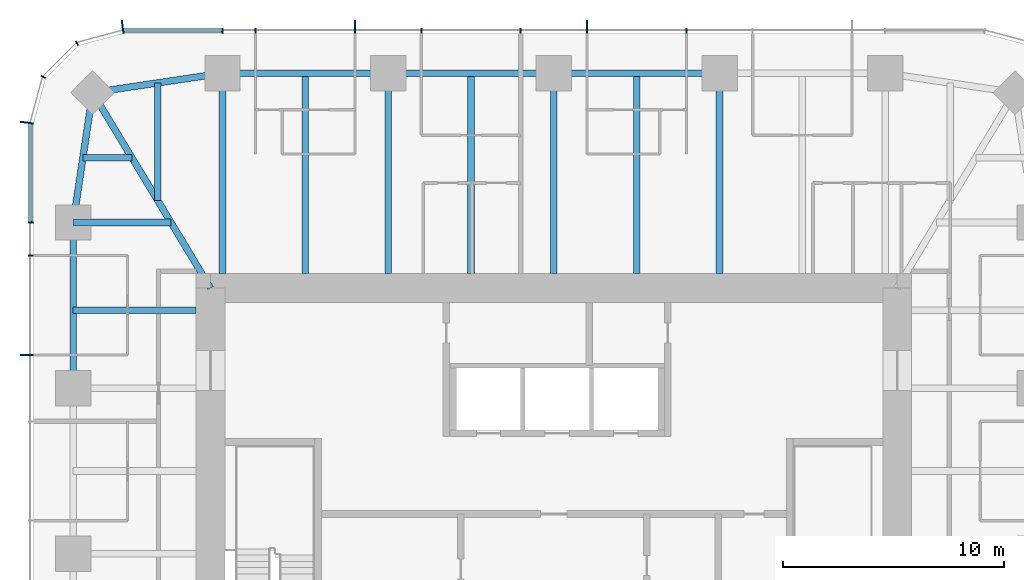
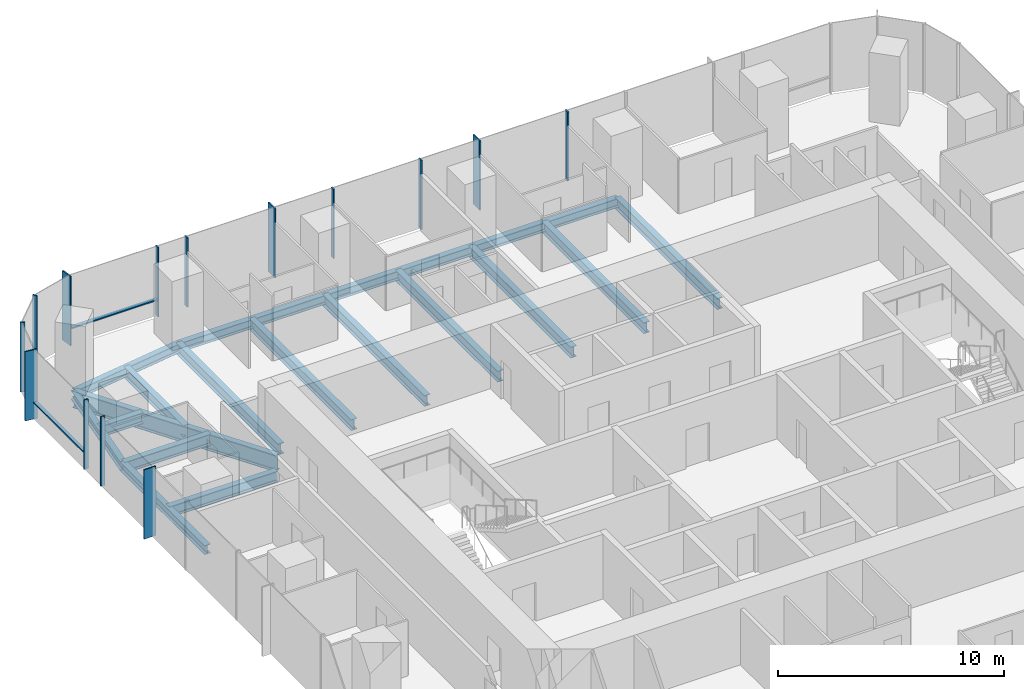
# One storey, part 5 of 12: 18 beams, 16 members, 3 elements without a shape of their own.
"""IFC4 building model written with IfcOpenShell, lengths in metres."""

import ifcopenshell
import ifcopenshell.guid

model = None  # the IFC model being written
_history = None  # IfcOwnerHistory: only IFC2X3 demands one
_inside = {}  # id of a spatial element -> (the spatial element, [elements in it])
_under = {}  # id of a project, library or spatial element -> (it, [spatial elements below it])
_declared = {}  # id of a project -> (the project, [libraries it declares])
_typed = {}  # id of a type object -> (the type object, [elements of that type])
_made_of = {}  # id of a material, layer set ... -> (it, [elements and type objects made of it])


def new_model(schema):
    """Start an empty IFC model of exactly this schema.

    Asked for "IFC4X3", IfcOpenShell would pick the latest addendum, in which some entities
    have other attributes; the version numbers below select the first issue.
    IFC2X3 requires an IfcOwnerHistory on every rooted entity: one is made here for all.
    """
    global model, _history
    if schema == "IFC4X3":
        model = ifcopenshell.file(schema_version=(4, 3, 0, 0))
    else:
        model = ifcopenshell.file(schema=schema)
    _inside.clear()
    _under.clear()
    _declared.clear()
    _typed.clear()
    _made_of.clear()
    _history = None
    if model.schema == "IFC2X3":
        org = make("IfcOrganization", Name="unknown")
        user = make(
            "IfcPersonAndOrganization",
            ThePerson=make("IfcPerson", FamilyName="unknown"),
            TheOrganization=org,
        )
        app = make(
            "IfcApplication",
            ApplicationDeveloper=org,
            Version="unknown",
            ApplicationFullName="unknown",
            ApplicationIdentifier="unknown",
        )
        _history = make(
            "IfcOwnerHistory",
            OwningUser=user,
            OwningApplication=app,
            ChangeAction="ADDED",
            CreationDate=0,
        )
    return model


def make(cls, **values):
    """One entity of the class cls with the attributes given. An attribute that is None is left unset."""
    return model.create_entity(
        cls, **{name: value for name, value in values.items() if value is not None}
    )


def rooted(cls, **values):
    """An entity with a GlobalId (a new one), such as an element, a storey or a relation."""
    return make(cls, GlobalId=ifcopenshell.guid.new(), OwnerHistory=_history, **values)


def si_unit(unit_type, name, prefix=None):
    """IfcSIUnit, for example si_unit("LENGTHUNIT", "METRE", prefix="MILLI")."""
    return make("IfcSIUnit", UnitType=unit_type, Prefix=prefix, Name=name)


def assignment(units):
    """IfcUnitAssignment: the units of a project."""
    return None if units is None else make("IfcUnitAssignment", Units=units)


def point(xyz):
    """IfcCartesianPoint."""
    return None if xyz is None else make("IfcCartesianPoint", Coordinates=xyz)


def direction(xyz):
    """IfcDirection."""
    return None if xyz is None else make("IfcDirection", DirectionRatios=xyz)


def frame(location, z_axis=None, x_axis=None):
    """IfcAxis2Placement3D, a coordinate frame: its origin and axes. An axis left out is left unset."""
    return make(
        "IfcAxis2Placement3D",
        Location=point(location),
        Axis=direction(z_axis),
        RefDirection=direction(x_axis),
    )


def frame_2d(location, x_axis=None):
    """IfcAxis2Placement2D, a coordinate frame in the plane: its origin and x axis."""
    return make(
        "IfcAxis2Placement2D", Location=point(location), RefDirection=direction(x_axis)
    )


def origin():
    """The frame at (0, 0, 0) with its axes left unset."""
    return frame((0.0, 0.0, 0.0))


def origin_2d():
    """The frame at (0, 0) in the plane with its x axis left unset."""
    return frame_2d((0.0, 0.0))


def place(relative_to, where):
    """IfcLocalPlacement: puts the frame where relative to a parent placement (None: the world)."""
    return make(
        "IfcLocalPlacement", PlacementRelTo=relative_to, RelativePlacement=where
    )


def context(
    kind, dimensions, precision=None, world=None, true_north=None, identifier=None
):
    """IfcGeometricRepresentationContext, for example the 3D "Model" context."""
    return make(
        "IfcGeometricRepresentationContext",
        ContextIdentifier=identifier,
        ContextType=kind,
        CoordinateSpaceDimension=dimensions,
        Precision=precision,
        WorldCoordinateSystem=world,
        TrueNorth=true_north,
    )


def subcontext(parent, identifier, kind, view, scale=None):
    """IfcGeometricRepresentationSubContext, for example "Body" below "Model"."""
    return make(
        "IfcGeometricRepresentationSubContext",
        ContextIdentifier=identifier,
        ContextType=kind,
        ParentContext=parent,
        TargetScale=scale,
        TargetView=view,
    )


def project(units=None, contexts=None):
    """IfcProject with its units and contexts."""
    return rooted(
        "IfcProject",
        Name="project",
        RepresentationContexts=contexts,
        UnitsInContext=assignment(units),
    )


def spatial(cls, under=None, at=None, **own):
    """A site, building, storey or space (cls), placed at a placement, below another one or the project."""
    s = rooted(cls, ObjectPlacement=at, **own)
    if under is not None:
        _under.setdefault(under.id(), (under, []))[1].append(s)
    return s


def profile(cls, at=None, kind="AREA", **sizes):
    """A parametric profile (cls). Its sizes go by their IFC names, for example OverallWidth=200.0."""
    return make(cls, ProfileType=kind, Position=at, **sizes)


def rectangle(**sizes):
    """IfcRectangleProfileDef."""
    return profile("IfcRectangleProfileDef", **sizes)


def i_section(**sizes):
    """IfcIShapeProfileDef."""
    return profile("IfcIShapeProfileDef", **sizes)


def extrude(swept, where, along, depth):
    """IfcExtrudedAreaSolid: the profile swept, set in the frame where, extruded along a direction by depth."""
    return make(
        "IfcExtrudedAreaSolid",
        SweptArea=swept,
        Position=where,
        ExtrudedDirection=direction(along),
        Depth=depth,
    )


def shape(context_of_items, identifier, shape_type, items):
    """IfcShapeRepresentation: the items that make up one representation, for example the "Body"."""
    return make(
        "IfcShapeRepresentation",
        ContextOfItems=context_of_items,
        RepresentationIdentifier=identifier,
        RepresentationType=shape_type,
        Items=items,
    )


def material(Name=None, Category=None):
    """IfcMaterial."""
    return make("IfcMaterial", Name=Name, Category=Category)


def material_profile(
    of_material, cross_section, Name=None, Category=None, Priority=None
):
    """IfcMaterialProfile: a cross section and its material."""
    return make(
        "IfcMaterialProfile",
        Name=Name,
        Material=of_material,
        Profile=cross_section,
        Priority=Priority,
        Category=Category,
    )


def profile_set(profiles, Name=None, composite=None):
    """IfcMaterialProfileSet."""
    return make(
        "IfcMaterialProfileSet",
        Name=Name,
        MaterialProfiles=profiles,
        CompositeProfile=composite,
    )


def made_of(thing, what):
    """Note that an element or type object is made of a material, layer set ...; save() writes the relation."""
    if what is not None:
        _made_of.setdefault(what.id(), (what, []))[1].append(thing)
    return thing


def type_object(cls, material=None, **own):
    """A type object (cls), such as IfcWallType, which elements share."""
    return made_of(rooted(cls, **own), material)


def element(
    cls,
    number,
    at=None,
    inside=None,
    cuts=None,
    type_object=None,
    material=None,
    context=None,
    identifier="Body",
    shape_type=None,
    held_by="IfcProductDefinitionShape",
    body=None,
    shapes=None,
    **own,
):
    """One element of the class cls, such as IfcWall. Its Tag is "e" and its number.

    at: its placement. inside: the storey or other place that contains it. cuts: it is an
    opening in that element (IfcRelVoidsElement). A single representation is given by context,
    identifier, shape_type and body (its items); several are given by shapes. held_by: the class
    of the entity that holds the representations. save() writes the other relations.
    """
    e = rooted(cls, Tag="e%d" % number, ObjectPlacement=at, **own)
    if body is not None:
        shapes = [shape(context, identifier, shape_type, body)]
    if shapes is not None:
        e.Representation = make(held_by, Representations=shapes)
    if inside is not None:
        _inside.setdefault(inside.id(), (inside, []))[1].append(e)
    if cuts is not None:
        rooted(
            "IfcRelVoidsElement", RelatingBuildingElement=cuts, RelatedOpeningElement=e
        )
    if type_object is not None:
        _typed.setdefault(type_object.id(), (type_object, []))[1].append(e)
    return made_of(e, material)


def aggregate(whole, parts):
    """IfcRelAggregates: a whole, such as a stair, and the parts it consists of."""
    return rooted("IfcRelAggregates", RelatingObject=whole, RelatedObjects=parts)


def save(model, path):
    """Write the relations noted so far, then the file.

    IfcRelAggregates (storeys below a building ...), IfcRelContainedInSpatialStructure (elements
    in a storey), IfcRelDefinesByType, IfcRelAssociatesMaterial and IfcRelDeclares: one each for
    every whole, place, type object, material and project.
    """
    for whole, parts in _under.values():
        aggregate(whole, parts)
    for where, things in _inside.values():
        rooted(
            "IfcRelContainedInSpatialStructure",
            RelatedElements=things,
            RelatingStructure=where,
        )
    for kind, things in _typed.values():
        rooted("IfcRelDefinesByType", RelatedObjects=things, RelatingType=kind)
    for what, things in _made_of.values():
        rooted("IfcRelAssociatesMaterial", RelatedObjects=things, RelatingMaterial=what)
    for by, libraries in _declared.values():
        rooted("IfcRelDeclares", RelatingContext=by, RelatedDefinitions=libraries)
    model.write(path)


model = new_model("IFC4")

# Units and contexts
model_context = context("Model", 3, precision=1e-05, world=origin(), true_north=direction((0.0, 1.0)))
body_context = subcontext(model_context, "Body", "Model", "MODEL_VIEW")
ifc_project = project(units=[si_unit("LENGTHUNIT", "METRE"), si_unit("AREAUNIT", "SQUARE_METRE"), si_unit("VOLUMEUNIT", "CUBIC_METRE"), si_unit("PLANEANGLEUNIT", "RADIAN"), si_unit("MASSUNIT", "GRAM", prefix="KILO")], contexts=[model_context])

# Site, building, storey
site_placement = place(None, origin())
site = spatial("IfcSite", under=ifc_project, at=site_placement, CompositionType="ELEMENT")
building_placement = place(site_placement, origin())
building = spatial("IfcBuilding", under=site, at=building_placement, Name="Khuree Lantern Residences", CompositionType="ELEMENT")
storey_placement = place(building_placement, frame((0.0, 0.0, 308.25)))
storey = spatial("IfcBuildingStorey", under=building, at=storey_placement, Name="L77", CompositionType="ELEMENT", Elevation=308.25)

# Beams
ifc_material_1 = material(Name="Steel S355", Category="steel")
ifc_material_profile_1 = material_profile(ifc_material_1, i_section(OverallWidth=0.300048828125, OverallDepth=0.590087890625, WebThickness=0.012939453125, FlangeThickness=0.02490234375, FilletRadius=0.027099609375, at=origin_2d()), Name="HE 600 A")
ifc_profile_set_1 = profile_set([ifc_material_profile_1], Name="Steel S355")
beam_type_1 = type_object("IfcBeamType", Name="B-42 SECONDARY BEAM HE 600 A", PredefinedType="BEAM", material=ifc_profile_set_1)
for number, where, z_axis, x_axis, name in (
    (1, (-11.219970703125, 21.699951171875, -0.544921875), (0.0, -1.0, 0.0), (1.0, 0.0, 0.0), "Secondary beam N1"),
    (2, (-3.739990234375, 21.699951171875, -0.544921875), (0.0, -1.0, 0.0), (1.0, 0.0, 0.0), "Secondary beam N2"),
    (3, (3.739990234375, 21.699951171875, -0.544921875), (0.0, -1.0, 0.0), (1.0, 0.0, 0.0), "Secondary beam N3"),
):
    element("IfcBeam", number, at=place(storey_placement, frame(where, z_axis=z_axis, x_axis=x_axis)), inside=storey, type_object=beam_type_1, Name=name, PredefinedType="BEAM", context=body_context, shape_type="SweptSolid", body=[
        extrude(i_section(OverallWidth=0.300048828125, OverallDepth=0.590087890625, WebThickness=0.012939453125, FlangeThickness=0.02490234375, FilletRadius=0.027099609375, at=origin_2d()), origin(), (0.0, 0.0, 1.0), 9.050048828125),
    ])
beam_1_placement = place(storey_placement, frame((-21.699951171875, 11.0, -0.544921875), z_axis=(1.0, 0.0, 0.0), x_axis=(0.0, 1.0, 0.0)))
element("IfcBeam", 4, at=beam_1_placement, inside=storey, type_object=beam_type_1, Name="Secondary beam W5", PredefinedType="BEAM", context=body_context, shape_type="SweptSolid", body=[
    extrude(i_section(OverallWidth=0.300048828125, OverallDepth=0.590087890625, WebThickness=0.012939453125, FlangeThickness=0.02490234375, FilletRadius=0.027099609375, at=origin_2d()), origin(), (0.0, 0.0, 1.0), 5.550048828125),
])
beam_2_placement = place(storey_placement, frame((-21.2607421875, 17.890625, -0.544921875), z_axis=(1.0, 0.0, 0.0), x_axis=(0.0, 1.0, 0.0)))
element("IfcBeam", 5, at=beam_2_placement, inside=storey, type_object=beam_type_1, Name="Secondary beam W6", PredefinedType="BEAM", context=body_context, shape_type="SweptSolid", body=[
    extrude(i_section(OverallWidth=0.300048828125, OverallDepth=0.590087890625, WebThickness=0.012939453125, FlangeThickness=0.02490234375, FilletRadius=0.027099609375, at=origin_2d()), origin(), (0.0, 0.0, 1.0), 2.207275390625),
])
beam_3_placement = place(storey_placement, frame((-17.890625, 21.2607421875, -0.544921875), z_axis=(0.0, -1.0, 0.0), x_axis=(1.0, 0.0, 0.0)))
element("IfcBeam", 6, at=beam_3_placement, inside=storey, type_object=beam_type_1, Name="Secondary beam N6", PredefinedType="BEAM", context=body_context, shape_type="SweptSolid", body=[
    extrude(i_section(OverallWidth=0.300048828125, OverallDepth=0.590087890625, WebThickness=0.012939453125, FlangeThickness=0.02490234375, FilletRadius=0.027099609375, at=origin_2d()), origin(), (0.0, 0.0, 1.0), 5.297607421875),
])
ifc_material_profile_2 = material_profile(ifc_material_1, i_section(OverallWidth=0.300048828125, OverallDepth=0.489990234375, WebThickness=0.011962890625, FlangeThickness=0.02294921875, FilletRadius=0.027099609375, at=origin_2d()), Name="HE 500 A")
ifc_profile_set_2 = profile_set([ifc_material_profile_2], Name="Steel S355")
beam_type_2 = type_object("IfcBeamType", Name="E-42 SPANDREL BEAM HE 500 A", PredefinedType="SPANDREL", material=ifc_profile_set_2)
for number, where, z_axis, x_axis, name in (
    (7, (-14.9599609375, 21.699951171875, -0.4951171875), (1.0, 0.0, 0.0), (0.0, 1.0, 0.0), "Spandrel beam N1"),
    (8, (-7.47998046875, 21.699951171875, -0.4951171875), (1.0, 0.0, 0.0), (0.0, 1.0, 0.0), "Spandrel beam N2"),
    (9, (0.0, 21.699951171875, -0.4951171875), (1.0, 0.0, 0.0), (0.0, 1.0, 0.0), "Spandrel beam N3"),
    (10, (-21.699951171875, 7.47998046875, -0.4951171875), (0.0, 1.0, 0.0), (-1.0, 0.0, 0.0), "Spandrel beam W5"),
):
    element("IfcBeam", number, at=place(storey_placement, frame(where, z_axis=z_axis, x_axis=x_axis)), inside=storey, type_object=beam_type_2, Name=name, PredefinedType="SPANDREL", context=body_context, shape_type="SweptSolid", body=[
        extrude(i_section(OverallWidth=0.300048828125, OverallDepth=0.489990234375, WebThickness=0.011962890625, FlangeThickness=0.02294921875, FilletRadius=0.027099609375, at=origin_2d()), origin(), (0.0, 0.0, 1.0), 7.47998046875),
    ])
for number, where, z_axis, x_axis, name in (
    (11, (-21.699951171875, 14.9599609375, -0.4951171875), (0.148251822985, 0.988949643299, 0.0), (-0.988949643299, 0.148251822985, 0.0), "Spandrel beam W6"),
    (12, (-20.8212890625, 20.8212890625, -0.4951171875), (0.988949643299, 0.148251822985, 0.0), (-0.148251822985, 0.988949643299, 0.0), "Spandrel beam N6"),
):
    element("IfcBeam", number, at=place(storey_placement, frame(where, z_axis=z_axis, x_axis=x_axis)), inside=storey, type_object=beam_type_2, Name=name, PredefinedType="SPANDREL", context=body_context, shape_type="SweptSolid", body=[
        extrude(i_section(OverallWidth=0.300048828125, OverallDepth=0.489990234375, WebThickness=0.011962890625, FlangeThickness=0.02294921875, FilletRadius=0.027099609375, at=origin_2d()), origin(), (0.0, 0.0, 1.0), 5.9267578125),
    ])

# Curtain wall, members
ifc_material_2 = material(Name="Bronze anodised aluminium", Category="aluminium")
curtain_wall_type_1 = type_object("IfcCurtainWallType", Name="CW-T1 TOWER FACE CURTAIN WALL", PredefinedType="USERDEFINED", material=ifc_material_2)
curtain_wall_1_placement = place(storey_placement, origin())
curtain_wall_1 = element("IfcCurtainWall", 13, at=curtain_wall_1_placement, inside=storey, type_object=curtain_wall_type_1, Name="L77 NORTH FACE CURTAIN WALL", ObjectType="Stick-built curtain wall", PredefinedType="USERDEFINED")
ifc_material_profile_3 = material_profile(ifc_material_2, rectangle(XDim=0.06494140625, YDim=0.60009765625, at=origin_2d()), Name="F1 65X600")
ifc_profile_set_3 = profile_set([ifc_material_profile_3], Name="Bronze anodised aluminium")
member_type_1 = type_object("IfcMemberType", Name="F1 BRONZE FIN MULLION TOWER 65X600", PredefinedType="MULLION", material=ifc_profile_set_3)
member_1_placement = place(storey_placement, frame((1.49609375, 23.800048828125, 0.0), z_axis=(0.0, 0.0, 1.0), x_axis=(-1.0, 0.0, 0.0)))
member_1 = element("IfcMember", 14, at=member_1_placement, type_object=member_type_1, Name="L77 NORTH FACE FIN MULLION 23", PredefinedType="MULLION", context=body_context, shape_type="SweptSolid", body=[
    extrude(rectangle(XDim=0.06494140625, YDim=0.60009765625, at=origin_2d()), origin(), (0.0, 0.0, 1.0), 3.75),
])
member_2_placement = place(storey_placement, frame((-8.97607421875, 23.800048828125, 0.0), z_axis=(0.0, 0.0, 1.0), x_axis=(-1.0, 0.0, 0.0)))
member_2 = element("IfcMember", 15, at=member_2_placement, type_object=member_type_1, Name="L77 NORTH FACE FIN MULLION 26", PredefinedType="MULLION", context=body_context, shape_type="SweptSolid", body=[
    extrude(rectangle(XDim=0.06494140625, YDim=0.60009765625, at=origin_2d()), origin(), (0.0, 0.0, 1.0), 3.75),
])

# Curtain wall, member
curtain_wall_type_2 = type_object("IfcCurtainWallType", Name="CW-T2 TOWER CORNER CURTAIN WALL", PredefinedType="USERDEFINED", material=ifc_material_2)
curtain_wall_2_placement = place(storey_placement, origin())
curtain_wall_2 = element("IfcCurtainWall", 16, at=curtain_wall_2_placement, inside=storey, type_object=curtain_wall_type_2, Name="L77 NORTH-WEST CORNER CURTAIN WALL", ObjectType="Faceted corner curtain wall", PredefinedType="USERDEFINED")
member_3_placement = place(storey_placement, frame((-19.4697265625, 23.800048828125, 0.0), z_axis=(0.0, 0.0, 1.0), x_axis=(-0.991444870192, -0.130526125236, 0.0)))
member_3 = element("IfcMember", 17, at=member_3_placement, type_object=member_type_1, Name="L77 NORTH-WEST CORNER FIN MULLION 29", PredefinedType="MULLION", context=body_context, shape_type="SweptSolid", body=[
    extrude(rectangle(XDim=0.06494140625, YDim=0.60009765625, at=origin_2d()), origin(), (0.0, 0.0, 1.0), 3.75),
])

# Curtain wall, members
curtain_wall_3_placement = place(storey_placement, origin())
curtain_wall_3 = element("IfcCurtainWall", 18, at=curtain_wall_3_placement, inside=storey, type_object=curtain_wall_type_1, Name="L77 WEST FACE CURTAIN WALL", ObjectType="Stick-built curtain wall", PredefinedType="USERDEFINED")
member_4_placement = place(storey_placement, frame((-23.800048828125, 19.4697265625, 0.0), z_axis=(0.0, 0.0, 1.0), x_axis=(-0.130526125236, -0.991444870192, 0.0)))
member_4 = element("IfcMember", 19, at=member_4_placement, type_object=member_type_1, Name="L77 WEST FACE FIN MULLION 32", PredefinedType="MULLION", context=body_context, shape_type="SweptSolid", body=[
    extrude(rectangle(XDim=0.06494140625, YDim=0.60009765625, at=origin_2d()), origin(), (0.0, 0.0, 1.0), 3.75),
])
member_5_placement = place(storey_placement, frame((-23.800048828125, 8.97607421875, 0.0), z_axis=(0.0, 0.0, 1.0), x_axis=(0.0, -1.0, 0.0)))
member_5 = element("IfcMember", 20, at=member_5_placement, type_object=member_type_1, Name="L77 WEST FACE FIN MULLION 35", PredefinedType="MULLION", context=body_context, shape_type="SweptSolid", body=[
    extrude(rectangle(XDim=0.06494140625, YDim=0.60009765625, at=origin_2d()), origin(), (0.0, 0.0, 1.0), 3.75),
])

# Beams
ifc_material_profile_4 = material_profile(ifc_material_1, i_section(OverallWidth=0.300048828125, OverallDepth=0.60009765625, WebThickness=0.015380859375, FlangeThickness=0.030029296875, FilletRadius=0.027099609375, at=origin_2d()), Name="HE 600 B")
ifc_profile_set_4 = profile_set([ifc_material_profile_4], Name="Steel S355")
beam_type_3 = type_object("IfcBeamType", Name="G-42 GIRDER HE 600 B", PredefinedType="BEAM", material=ifc_profile_set_4)
for number, where, z_axis, x_axis, name in (
    (21, (-14.9599609375, 21.699951171875, -0.550048828125), (0.0, -1.0, 0.0), (1.0, 0.0, 0.0), "Girder N1"),
    (22, (-7.47998046875, 21.699951171875, -0.550048828125), (0.0, -1.0, 0.0), (1.0, 0.0, 0.0), "Girder N2"),
    (23, (0.0, 21.699951171875, -0.550048828125), (0.0, -1.0, 0.0), (1.0, 0.0, 0.0), "Girder N3"),
    (24, (7.47998046875, 21.699951171875, -0.550048828125), (0.0, -1.0, 0.0), (1.0, 0.0, 0.0), "Girder N4"),
):
    element("IfcBeam", number, at=place(storey_placement, frame(where, z_axis=z_axis, x_axis=x_axis)), inside=storey, type_object=beam_type_3, Name=name, PredefinedType="BEAM", context=body_context, shape_type="SweptSolid", body=[
        extrude(i_section(OverallWidth=0.300048828125, OverallDepth=0.60009765625, WebThickness=0.015380859375, FlangeThickness=0.030029296875, FilletRadius=0.027099609375, at=origin_2d()), origin(), (0.0, 0.0, 1.0), 9.050048828125),
    ])
beam_4_placement = place(storey_placement, frame((-21.699951171875, 14.9599609375, -0.550048828125), z_axis=(1.0, 0.0, 0.0), x_axis=(0.0, 1.0, 0.0)))
element("IfcBeam", 25, at=beam_4_placement, inside=storey, type_object=beam_type_3, Name="Girder W5", PredefinedType="BEAM", context=body_context, shape_type="SweptSolid", body=[
    extrude(i_section(OverallWidth=0.300048828125, OverallDepth=0.60009765625, WebThickness=0.015380859375, FlangeThickness=0.030029296875, FilletRadius=0.027099609375, at=origin_2d()), origin(), (0.0, 0.0, 1.0), 4.414306640625),
])
ifc_material_profile_5 = material_profile(ifc_material_1, i_section(OverallWidth=0.300048828125, OverallDepth=0.89990234375, WebThickness=0.0185546875, FlangeThickness=0.034912109375, FilletRadius=0.030029296875, at=origin_2d()), Name="HE 900 B")
ifc_profile_set_5 = profile_set([ifc_material_profile_5], Name="Steel S355")
beam_type_4 = type_object("IfcBeamType", Name="GD-42 CORNER GIRDER HE 900 B", PredefinedType="BEAM", material=ifc_profile_set_5)
beam_5_placement = place(storey_placement, frame((-20.8212890625, 20.8212890625, -0.699951171875), z_axis=(0.516529577604, -0.856269347495, 0.0), x_axis=(0.856269347495, 0.516529577604, 0.0)))
element("IfcBeam", 26, at=beam_5_placement, inside=storey, type_object=beam_type_4, Name="Corner girder NW", PredefinedType="BEAM", context=body_context, shape_type="SweptSolid", body=[
    extrude(i_section(OverallWidth=0.300048828125, OverallDepth=0.89990234375, WebThickness=0.0185546875, FlangeThickness=0.034912109375, FilletRadius=0.030029296875, at=origin_2d()), origin(), (0.0, 0.0, 1.0), 10.302001953125),
])

# Member
ifc_material_profile_6 = material_profile(ifc_material_2, rectangle(XDim=0.06494140625, YDim=0.219970703125, at=origin_2d()), Name="M1 65X220")
ifc_profile_set_6 = profile_set([ifc_material_profile_6], Name="Bronze anodised aluminium")
member_type_2 = type_object("IfcMemberType", Name="M1 BRONZE MULLION TOWER 65X220", PredefinedType="MULLION", material=ifc_profile_set_6)
member_6_placement = place(storey_placement, frame((5.98388671875, 23.610107421875, 0.0), z_axis=(0.0, 0.0, 1.0), x_axis=(-1.0, 0.0, 0.0)))
member_6 = element("IfcMember", 27, at=member_6_placement, type_object=member_type_2, Name="L77 NORTH FACE MULLION 22", PredefinedType="MULLION", context=body_context, shape_type="SweptSolid", body=[
    extrude(rectangle(XDim=0.06494140625, YDim=0.219970703125, at=origin_2d()), origin(), (0.0, 0.0, 1.0), 3.75),
])

member_7_placement = place(storey_placement, frame((-1.49609375, 23.610107421875, 0.0), z_axis=(0.0, 0.0, 1.0), x_axis=(-1.0, 0.0, 0.0)))
member_7 = element("IfcMember", 28, at=member_7_placement, type_object=member_type_2, Name="L77 NORTH FACE MULLION 24", PredefinedType="MULLION", context=body_context, shape_type="SweptSolid", body=[
    extrude(rectangle(XDim=0.06494140625, YDim=0.219970703125, at=origin_2d()), origin(), (0.0, 0.0, 1.0), 3.75),
])

member_8_placement = place(storey_placement, frame((-5.98388671875, 23.610107421875, 0.0), z_axis=(0.0, 0.0, 1.0), x_axis=(-1.0, 0.0, 0.0)))
member_8 = element("IfcMember", 29, at=member_8_placement, type_object=member_type_2, Name="L77 NORTH FACE MULLION 25", PredefinedType="MULLION", context=body_context, shape_type="SweptSolid", body=[
    extrude(rectangle(XDim=0.06494140625, YDim=0.219970703125, at=origin_2d()), origin(), (0.0, 0.0, 1.0), 3.75),
])

member_9_placement = place(storey_placement, frame((-13.464111328125, 23.610107421875, 0.0), z_axis=(0.0, 0.0, 1.0), x_axis=(-1.0, 0.0, 0.0)))
member_9 = element("IfcMember", 30, at=member_9_placement, type_object=member_type_2, Name="L77 NORTH FACE MULLION 27", PredefinedType="MULLION", context=body_context, shape_type="SweptSolid", body=[
    extrude(rectangle(XDim=0.06494140625, YDim=0.219970703125, at=origin_2d()), origin(), (0.0, 0.0, 1.0), 3.75),
])

member_10_placement = place(storey_placement, frame((-14.9599609375, 23.610107421875, 0.0), z_axis=(0.0, 0.0, 1.0), x_axis=(-1.0, 0.0, 0.0)))
member_10 = element("IfcMember", 31, at=member_10_placement, type_object=member_type_2, Name="L77 NORTH FACE MULLION 28", PredefinedType="MULLION", context=body_context, shape_type="SweptSolid", body=[
    extrude(rectangle(XDim=0.06494140625, YDim=0.219970703125, at=origin_2d()), origin(), (0.0, 0.0, 1.0), 3.75),
])

member_11_placement = place(storey_placement, frame((-21.530029296875, 23.052734375, 0.0), z_axis=(0.0, 0.0, 1.0), x_axis=(-0.866025437565, -0.49999994149, 0.0)))
member_11 = element("IfcMember", 32, at=member_11_placement, type_object=member_type_2, Name="L77 NORTH-WEST CORNER MULLION 30", PredefinedType="MULLION", context=body_context, shape_type="SweptSolid", body=[
    extrude(rectangle(XDim=0.06494140625, YDim=0.219970703125, at=origin_2d()), origin(), (0.0, 0.0, 1.0), 3.75),
])

member_12_placement = place(storey_placement, frame((-23.052734375, 21.530029296875, 0.0), z_axis=(0.0, 0.0, 1.0), x_axis=(-0.49999994149, -0.866025437565, 0.0)))
member_12 = element("IfcMember", 33, at=member_12_placement, type_object=member_type_2, Name="L77 NORTH-WEST CORNER MULLION 31", PredefinedType="MULLION", context=body_context, shape_type="SweptSolid", body=[
    extrude(rectangle(XDim=0.06494140625, YDim=0.219970703125, at=origin_2d()), origin(), (0.0, 0.0, 1.0), 3.75),
])

aggregate(curtain_wall_2, [member_3, member_11, member_12])

member_13_placement = place(storey_placement, frame((-23.610107421875, 14.9599609375, 0.0), z_axis=(0.0, 0.0, 1.0), x_axis=(0.0, -1.0, 0.0)))
member_13 = element("IfcMember", 34, at=member_13_placement, type_object=member_type_2, Name="L77 WEST FACE MULLION 33", PredefinedType="MULLION", context=body_context, shape_type="SweptSolid", body=[
    extrude(rectangle(XDim=0.06494140625, YDim=0.219970703125, at=origin_2d()), origin(), (0.0, 0.0, 1.0), 3.75),
])

member_14_placement = place(storey_placement, frame((-23.610107421875, 13.464111328125, 0.0), z_axis=(0.0, 0.0, 1.0), x_axis=(0.0, -1.0, 0.0)))
member_14 = element("IfcMember", 35, at=member_14_placement, type_object=member_type_2, Name="L77 WEST FACE MULLION 34", PredefinedType="MULLION", context=body_context, shape_type="SweptSolid", body=[
    extrude(rectangle(XDim=0.06494140625, YDim=0.219970703125, at=origin_2d()), origin(), (0.0, 0.0, 1.0), 3.75),
])

ifc_material_profile_7 = material_profile(ifc_material_2, rectangle(XDim=0.179931640625, YDim=0.06494140625, at=origin_2d()), Name="T1 180X65")
ifc_profile_set_7 = profile_set([ifc_material_profile_7], Name="Bronze anodised aluminium")
member_type_3 = type_object("IfcMemberType", Name="TRANSOM T1 TOWER 180X65", PredefinedType="USERDEFINED", material=ifc_profile_set_7)
member_15_placement = place(storey_placement, frame((-14.992431640625, 23.6201171875, 0.89990234375), z_axis=(-1.0, 0.0, 0.0), x_axis=(0.0, -1.0, 0.0)))
member_15 = element("IfcMember", 36, at=member_15_placement, type_object=member_type_3, Name="L77 NORTH FACE TRANSOM 28.1", ObjectType="Transom", PredefinedType="USERDEFINED", context=body_context, shape_type="SweptSolid", body=[
    extrude(rectangle(XDim=0.179931640625, YDim=0.06494140625, at=origin_2d()), origin(), (0.0, 0.0, 1.0), 4.408935546875),
])

aggregate(curtain_wall_1, [member_6, member_1, member_7, member_8, member_2, member_9, member_10, member_15])

member_16_placement = place(storey_placement, frame((-23.6201171875, 19.4013671875, 0.89990234375), z_axis=(0.0, -1.0, 0.0), x_axis=(1.0, 0.0, 0.0)))
member_16 = element("IfcMember", 37, at=member_16_placement, type_object=member_type_3, Name="L77 WEST FACE TRANSOM 32.1", ObjectType="Transom", PredefinedType="USERDEFINED", context=body_context, shape_type="SweptSolid", body=[
    extrude(rectangle(XDim=0.179931640625, YDim=0.06494140625, at=origin_2d()), origin(), (0.0, 0.0, 1.0), 4.408935546875),
])

aggregate(curtain_wall_3, [member_4, member_13, member_14, member_5, member_16])

save(model, "model.ifc")
